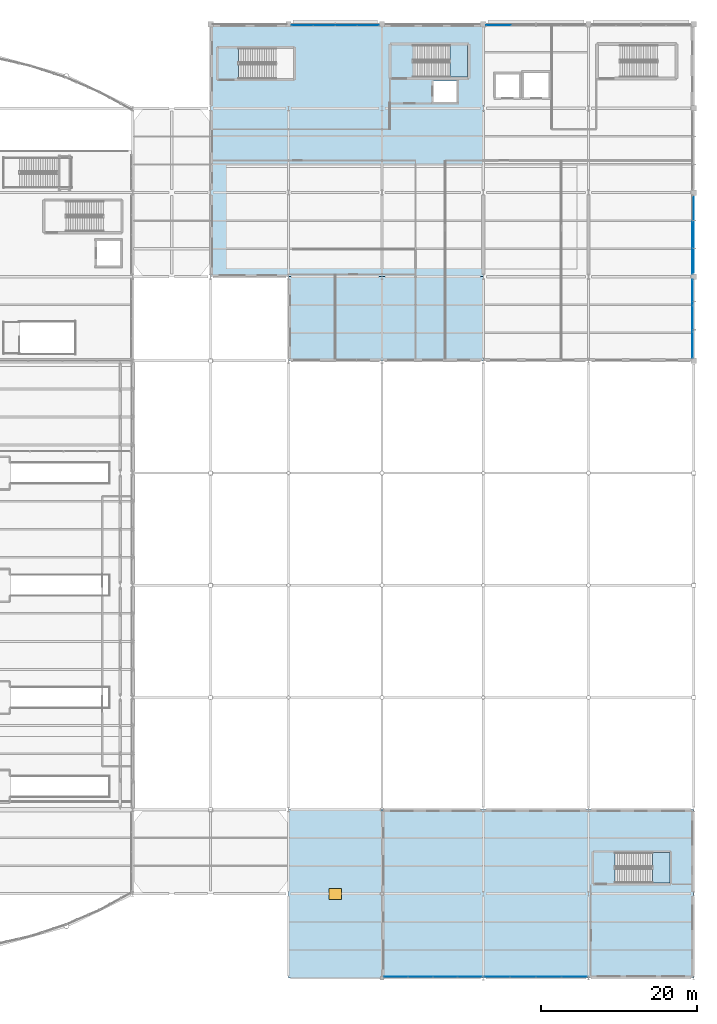
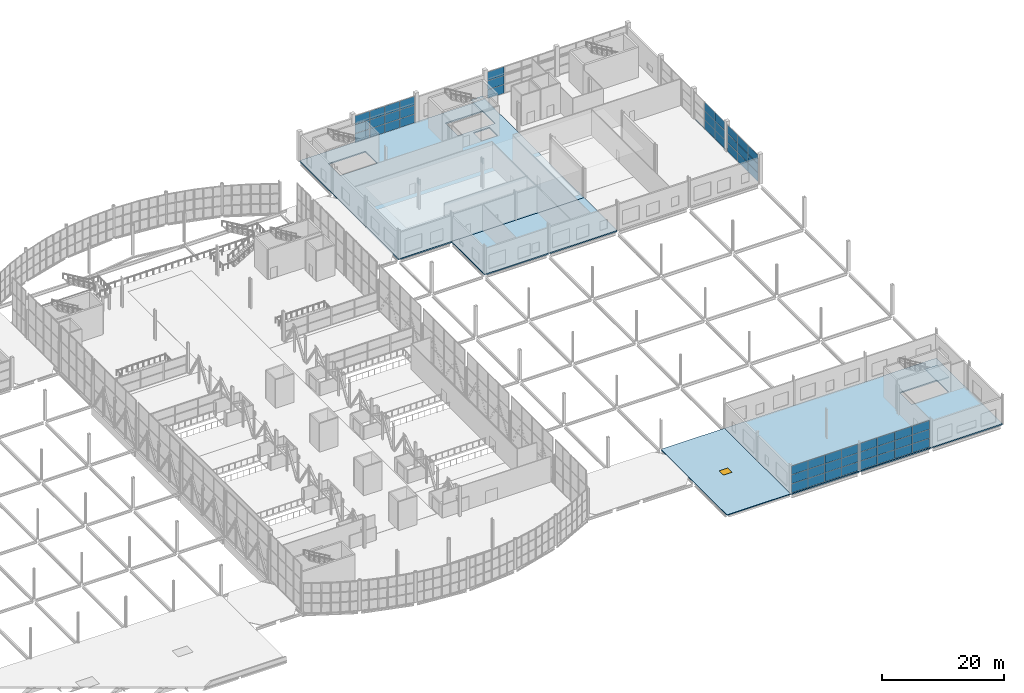
# One storey, part 157 of 191: 55 plates, 6 slabs, 1 window, 1 opening, 8 elements without a shape of their own.
"""IFC4 building model written with IfcOpenShell, lengths in metres."""

from ifc_helpers import new_model, si_unit, direction, frame, origin, origin_2d, place, context, subcontext, project, spatial, polyline, rectangle, outline, extrude, material, layer, layer_set, type_object, element, fill, aggregate, save


model = new_model("IFC4")

# Units and contexts
model_context = context("Model", 3, precision=1e-05, world=origin(), true_north=direction((0.0, 1.0)))
body_context = subcontext(model_context, "Body", "Model", "MODEL_VIEW")
ifc_project = project(units=[si_unit("LENGTHUNIT", "METRE"), si_unit("AREAUNIT", "SQUARE_METRE"), si_unit("VOLUMEUNIT", "CUBIC_METRE"), si_unit("PLANEANGLEUNIT", "RADIAN"), si_unit("MASSUNIT", "GRAM", prefix="KILO")], contexts=[model_context])

# Site, building, storey
site_placement = place(None, origin())
site = spatial("IfcSite", under=ifc_project, at=site_placement, CompositionType="ELEMENT")
building_placement = place(site_placement, origin())
building = spatial("IfcBuilding", under=site, at=building_placement, Name="Tamarisk Ironworks Central Station", CompositionType="ELEMENT")
storey_placement = place(building_placement, frame((0.0, 0.0, 6.60009765625)))
storey = spatial("IfcBuildingStorey", under=building, at=storey_placement, Name="L01", CompositionType="ELEMENT", Elevation=6.60009765625)

# Curtain wall, plates
ifc_material_1 = material(Name="Anodized aluminium alloy 6063-T6", Category="aluminium")
ifc_layer_1 = layer(ifc_material_1, 0.179931640625)
ifc_layer_set_1 = layer_set([ifc_layer_1], Name="Anodized aluminium alloy 6063-T6")
curtain_wall_type = type_object("IfcCurtainWallType", Name="CW-16", PredefinedType="USERDEFINED", material=ifc_layer_set_1)
curtain_wall_1_placement = place(storey_placement, origin())
curtain_wall_1 = element("IfcCurtainWall", 1, at=curtain_wall_1_placement, inside=storey, type_object=curtain_wall_type, Name="Operations L01 north facade curtain wall 128", ObjectType="GLAZED CURTAIN WALL", PredefinedType="USERDEFINED")
ifc_layer_2 = layer(ifc_material_1, 0.02392578125)
ifc_layer_set_2 = layer_set([ifc_layer_2], Name="Anodized aluminium alloy 6063-T6")
plate_type_1 = type_object("IfcPlateType", Name="PL-CWP24", PredefinedType="CURTAIN_PANEL", material=ifc_layer_set_2)
plate_1_placement = place(storey_placement, frame((129.77734375, 122.25, 0.058837890625), z_axis=(0.0, 0.0, 1.0), x_axis=(1.0, 0.0, 0.0)))
plate_1 = element("IfcPlate", 2, at=plate_1_placement, type_object=plate_type_1, Name="CW16 panel 1.1", PredefinedType="CURTAIN_PANEL", context=body_context, shape_type="SweptSolid", body=[
    extrude(rectangle(XDim=2.740478515625, YDim=0.02392578125, at=origin_2d()), origin(), (0.0, 0.0, 1.0), 1.72119140625),
])
plate_2_placement = place(storey_placement, frame((129.77734375, 122.25, 1.8330078125), z_axis=(0.0, 0.0, 1.0), x_axis=(1.0, 0.0, 0.0)))
plate_2 = element("IfcPlate", 3, at=plate_2_placement, type_object=plate_type_1, Name="CW16 panel 1.2", PredefinedType="CURTAIN_PANEL", context=body_context, shape_type="SweptSolid", body=[
    extrude(rectangle(XDim=2.740478515625, YDim=0.02392578125, at=origin_2d()), origin(), (0.0, 0.0, 1.0), 1.753662109375),
])
plate_3_placement = place(storey_placement, frame((129.77734375, 122.25, 3.6396484375), z_axis=(0.0, 0.0, 1.0), x_axis=(1.0, 0.0, 0.0)))
plate_3 = element("IfcPlate", 4, at=plate_3_placement, type_object=plate_type_1, Name="CW16 panel 1.3", PredefinedType="CURTAIN_PANEL", context=body_context, shape_type="SweptSolid", body=[
    extrude(rectangle(XDim=2.740478515625, YDim=0.02392578125, at=origin_2d()), origin(), (0.0, 0.0, 1.0), 1.72119140625),
])
plate_4_placement = place(storey_placement, frame((132.5869140625, 122.25, 0.058837890625), z_axis=(0.0, 0.0, 1.0), x_axis=(1.0, 0.0, 0.0)))
plate_4 = element("IfcPlate", 5, at=plate_4_placement, type_object=plate_type_1, Name="CW16 panel 2.1", PredefinedType="CURTAIN_PANEL", context=body_context, shape_type="SweptSolid", body=[
    extrude(rectangle(XDim=2.77294921875, YDim=0.02392578125, at=origin_2d()), origin(), (0.0, 0.0, 1.0), 1.72119140625),
])
plate_5_placement = place(storey_placement, frame((132.5869140625, 122.25, 1.8330078125), z_axis=(0.0, 0.0, 1.0), x_axis=(1.0, 0.0, 0.0)))
plate_5 = element("IfcPlate", 6, at=plate_5_placement, type_object=plate_type_1, Name="CW16 panel 2.2", PredefinedType="CURTAIN_PANEL", context=body_context, shape_type="SweptSolid", body=[
    extrude(rectangle(XDim=2.77294921875, YDim=0.02392578125, at=origin_2d()), origin(), (0.0, 0.0, 1.0), 1.753662109375),
])
plate_6_placement = place(storey_placement, frame((132.5869140625, 122.25, 3.6396484375), z_axis=(0.0, 0.0, 1.0), x_axis=(1.0, 0.0, 0.0)))
plate_6 = element("IfcPlate", 7, at=plate_6_placement, type_object=plate_type_1, Name="CW16 panel 2.3", PredefinedType="CURTAIN_PANEL", context=body_context, shape_type="SweptSolid", body=[
    extrude(rectangle(XDim=2.77294921875, YDim=0.02392578125, at=origin_2d()), origin(), (0.0, 0.0, 1.0), 1.72119140625),
])
plate_7_placement = place(storey_placement, frame((135.4130859375, 122.25, 0.058837890625), z_axis=(0.0, 0.0, 1.0), x_axis=(1.0, 0.0, 0.0)))
plate_7 = element("IfcPlate", 8, at=plate_7_placement, type_object=plate_type_1, Name="CW16 panel 3.1", PredefinedType="CURTAIN_PANEL", context=body_context, shape_type="SweptSolid", body=[
    extrude(rectangle(XDim=2.77294921875, YDim=0.02392578125, at=origin_2d()), origin(), (0.0, 0.0, 1.0), 1.72119140625),
])
plate_8_placement = place(storey_placement, frame((135.4130859375, 122.25, 1.8330078125), z_axis=(0.0, 0.0, 1.0), x_axis=(1.0, 0.0, 0.0)))
plate_8 = element("IfcPlate", 9, at=plate_8_placement, type_object=plate_type_1, Name="CW16 panel 3.2", PredefinedType="CURTAIN_PANEL", context=body_context, shape_type="SweptSolid", body=[
    extrude(rectangle(XDim=2.77294921875, YDim=0.02392578125, at=origin_2d()), origin(), (0.0, 0.0, 1.0), 1.753662109375),
])
plate_9_placement = place(storey_placement, frame((135.4130859375, 122.25, 3.6396484375), z_axis=(0.0, 0.0, 1.0), x_axis=(1.0, 0.0, 0.0)))
plate_9 = element("IfcPlate", 10, at=plate_9_placement, type_object=plate_type_1, Name="CW16 panel 3.3", PredefinedType="CURTAIN_PANEL", context=body_context, shape_type="SweptSolid", body=[
    extrude(rectangle(XDim=2.77294921875, YDim=0.02392578125, at=origin_2d()), origin(), (0.0, 0.0, 1.0), 1.72119140625),
])
plate_10_placement = place(storey_placement, frame((138.22265625, 122.25, 0.058837890625), z_axis=(0.0, 0.0, 1.0), x_axis=(1.0, 0.0, 0.0)))
plate_10 = element("IfcPlate", 11, at=plate_10_placement, type_object=plate_type_1, Name="CW16 panel 4.1", PredefinedType="CURTAIN_PANEL", context=body_context, shape_type="SweptSolid", body=[
    extrude(rectangle(XDim=2.740478515625, YDim=0.02392578125, at=origin_2d()), origin(), (0.0, 0.0, 1.0), 1.72119140625),
])
plate_11_placement = place(storey_placement, frame((138.22265625, 122.25, 1.8330078125), z_axis=(0.0, 0.0, 1.0), x_axis=(1.0, 0.0, 0.0)))
plate_11 = element("IfcPlate", 12, at=plate_11_placement, type_object=plate_type_1, Name="CW16 panel 4.2", PredefinedType="CURTAIN_PANEL", context=body_context, shape_type="SweptSolid", body=[
    extrude(rectangle(XDim=2.740478515625, YDim=0.02392578125, at=origin_2d()), origin(), (0.0, 0.0, 1.0), 1.753662109375),
])
plate_12_placement = place(storey_placement, frame((138.22265625, 122.25, 3.6396484375), z_axis=(0.0, 0.0, 1.0), x_axis=(1.0, 0.0, 0.0)))
plate_12 = element("IfcPlate", 13, at=plate_12_placement, type_object=plate_type_1, Name="CW16 panel 4.3", PredefinedType="CURTAIN_PANEL", context=body_context, shape_type="SweptSolid", body=[
    extrude(rectangle(XDim=2.740478515625, YDim=0.02392578125, at=origin_2d()), origin(), (0.0, 0.0, 1.0), 1.72119140625),
])
aggregate(curtain_wall_1, [plate_1, plate_2, plate_3, plate_4, plate_5, plate_6, plate_7, plate_8, plate_9, plate_10, plate_11, plate_12])

curtain_wall_2_placement = place(storey_placement, origin())
curtain_wall_2 = element("IfcCurtainWall", 14, at=curtain_wall_2_placement, inside=storey, type_object=curtain_wall_type, Name="Operations L01 north facade curtain wall 153", ObjectType="GLAZED CURTAIN WALL", PredefinedType="USERDEFINED")
plate_13_placement = place(storey_placement, frame((154.96484375, 122.25, 0.058837890625), z_axis=(0.0, 0.0, 1.0), x_axis=(1.0, 0.0, 0.0)))
plate_13 = element("IfcPlate", 15, at=plate_13_placement, type_object=plate_type_1, Name="CW16 panel 1.1", PredefinedType="CURTAIN_PANEL", context=body_context, shape_type="SweptSolid", body=[
    extrude(rectangle(XDim=3.115478515625, YDim=0.02392578125, at=origin_2d()), origin(), (0.0, 0.0, 1.0), 1.72119140625),
])
plate_14_placement = place(storey_placement, frame((154.96484375, 122.25, 1.8330078125), z_axis=(0.0, 0.0, 1.0), x_axis=(1.0, 0.0, 0.0)))
plate_14 = element("IfcPlate", 16, at=plate_14_placement, type_object=plate_type_1, Name="CW16 panel 1.2", PredefinedType="CURTAIN_PANEL", context=body_context, shape_type="SweptSolid", body=[
    extrude(rectangle(XDim=3.115478515625, YDim=0.02392578125, at=origin_2d()), origin(), (0.0, 0.0, 1.0), 1.753662109375),
])
plate_15_placement = place(storey_placement, frame((154.96484375, 122.25, 3.6396484375), z_axis=(0.0, 0.0, 1.0), x_axis=(1.0, 0.0, 0.0)))
plate_15 = element("IfcPlate", 17, at=plate_15_placement, type_object=plate_type_1, Name="CW16 panel 1.3", PredefinedType="CURTAIN_PANEL", context=body_context, shape_type="SweptSolid", body=[
    extrude(rectangle(XDim=3.115478515625, YDim=0.02392578125, at=origin_2d()), origin(), (0.0, 0.0, 1.0), 1.72119140625),
])
aggregate(curtain_wall_2, [plate_13, plate_14, plate_15])

curtain_wall_3_placement = place(storey_placement, origin())
curtain_wall_3 = element("IfcCurtainWall", 18, at=curtain_wall_3_placement, inside=storey, type_object=curtain_wall_type, Name="Operations L01 east facade curtain wall 079", ObjectType="GLAZED CURTAIN WALL", PredefinedType="USERDEFINED")
plate_16_placement = place(storey_placement, frame((179.85009765625, 81.248291015625, 0.058837890625), z_axis=(0.0, 0.0, 1.0), x_axis=(0.0, 1.0, 0.0)))
plate_16 = element("IfcPlate", 19, at=plate_16_placement, type_object=plate_type_1, Name="CW16 panel 1.1", PredefinedType="CURTAIN_PANEL", context=body_context, shape_type="SweptSolid", body=[
    extrude(rectangle(XDim=3.282470703125, YDim=0.02392578125, at=origin_2d()), origin(), (0.0, 0.0, 1.0), 1.72119140625),
])
plate_17_placement = place(storey_placement, frame((179.85009765625, 81.248291015625, 1.8330078125), z_axis=(0.0, 0.0, 1.0), x_axis=(0.0, 1.0, 0.0)))
plate_17 = element("IfcPlate", 20, at=plate_17_placement, type_object=plate_type_1, Name="CW16 panel 1.2", PredefinedType="CURTAIN_PANEL", context=body_context, shape_type="SweptSolid", body=[
    extrude(rectangle(XDim=3.282470703125, YDim=0.02392578125, at=origin_2d()), origin(), (0.0, 0.0, 1.0), 1.753662109375),
])
plate_18_placement = place(storey_placement, frame((179.85009765625, 81.248291015625, 3.6396484375), z_axis=(0.0, 0.0, 1.0), x_axis=(0.0, 1.0, 0.0)))
plate_18 = element("IfcPlate", 21, at=plate_18_placement, type_object=plate_type_1, Name="CW16 panel 1.3", PredefinedType="CURTAIN_PANEL", context=body_context, shape_type="SweptSolid", body=[
    extrude(rectangle(XDim=3.282470703125, YDim=0.02392578125, at=origin_2d()), origin(), (0.0, 0.0, 1.0), 1.72119140625),
])
plate_19_placement = place(storey_placement, frame((179.85009765625, 84.60009765625, 0.058837890625), z_axis=(0.0, 0.0, 1.0), x_axis=(0.0, 1.0, 0.0)))
plate_19 = element("IfcPlate", 22, at=plate_19_placement, type_object=plate_type_1, Name="CW16 panel 2.1", PredefinedType="CURTAIN_PANEL", context=body_context, shape_type="SweptSolid", body=[
    extrude(rectangle(XDim=3.31494140625, YDim=0.02392578125, at=origin_2d()), origin(), (0.0, 0.0, 1.0), 1.72119140625),
])
plate_20_placement = place(storey_placement, frame((179.85009765625, 84.60009765625, 1.8330078125), z_axis=(0.0, 0.0, 1.0), x_axis=(0.0, 1.0, 0.0)))
plate_20 = element("IfcPlate", 23, at=plate_20_placement, type_object=plate_type_1, Name="CW16 panel 2.2", PredefinedType="CURTAIN_PANEL", context=body_context, shape_type="SweptSolid", body=[
    extrude(rectangle(XDim=3.31494140625, YDim=0.02392578125, at=origin_2d()), origin(), (0.0, 0.0, 1.0), 1.753662109375),
])
plate_21_placement = place(storey_placement, frame((179.85009765625, 84.60009765625, 3.6396484375), z_axis=(0.0, 0.0, 1.0), x_axis=(0.0, 1.0, 0.0)))
plate_21 = element("IfcPlate", 24, at=plate_21_placement, type_object=plate_type_1, Name="CW16 panel 2.3", PredefinedType="CURTAIN_PANEL", context=body_context, shape_type="SweptSolid", body=[
    extrude(rectangle(XDim=3.31494140625, YDim=0.02392578125, at=origin_2d()), origin(), (0.0, 0.0, 1.0), 1.72119140625),
])
plate_22_placement = place(storey_placement, frame((179.85009765625, 87.95166015625, 0.058837890625), z_axis=(0.0, 0.0, 1.0), x_axis=(0.0, 1.0, 0.0)))
plate_22 = element("IfcPlate", 25, at=plate_22_placement, type_object=plate_type_1, Name="CW16 panel 3.1", PredefinedType="CURTAIN_PANEL", context=body_context, shape_type="SweptSolid", body=[
    extrude(rectangle(XDim=3.282470703125, YDim=0.02392578125, at=origin_2d()), origin(), (0.0, 0.0, 1.0), 1.72119140625),
])
plate_23_placement = place(storey_placement, frame((179.85009765625, 87.95166015625, 1.8330078125), z_axis=(0.0, 0.0, 1.0), x_axis=(0.0, 1.0, 0.0)))
plate_23 = element("IfcPlate", 26, at=plate_23_placement, type_object=plate_type_1, Name="CW16 panel 3.2", PredefinedType="CURTAIN_PANEL", context=body_context, shape_type="SweptSolid", body=[
    extrude(rectangle(XDim=3.282470703125, YDim=0.02392578125, at=origin_2d()), origin(), (0.0, 0.0, 1.0), 1.753662109375),
])
plate_24_placement = place(storey_placement, frame((179.85009765625, 87.95166015625, 3.6396484375), z_axis=(0.0, 0.0, 1.0), x_axis=(0.0, 1.0, 0.0)))
plate_24 = element("IfcPlate", 27, at=plate_24_placement, type_object=plate_type_1, Name="CW16 panel 3.3", PredefinedType="CURTAIN_PANEL", context=body_context, shape_type="SweptSolid", body=[
    extrude(rectangle(XDim=3.282470703125, YDim=0.02392578125, at=origin_2d()), origin(), (0.0, 0.0, 1.0), 1.72119140625),
])
aggregate(curtain_wall_3, [plate_16, plate_17, plate_18, plate_19, plate_20, plate_21, plate_22, plate_23, plate_24])

curtain_wall_4_placement = place(storey_placement, origin())
curtain_wall_4 = element("IfcCurtainWall", 28, at=curtain_wall_4_placement, inside=storey, type_object=curtain_wall_type, Name="Operations L01 east facade curtain wall 090", ObjectType="GLAZED CURTAIN WALL", PredefinedType="USERDEFINED")
plate_25_placement = place(storey_placement, frame((179.85009765625, 92.04833984375, 0.058837890625), z_axis=(0.0, 0.0, 1.0), x_axis=(0.0, 1.0, 0.0)))
plate_25 = element("IfcPlate", 29, at=plate_25_placement, type_object=plate_type_1, Name="CW16 panel 1.1", PredefinedType="CURTAIN_PANEL", context=body_context, shape_type="SweptSolid", body=[
    extrude(rectangle(XDim=3.282470703125, YDim=0.02392578125, at=origin_2d()), origin(), (0.0, 0.0, 1.0), 1.72119140625),
])
plate_26_placement = place(storey_placement, frame((179.85009765625, 92.04833984375, 1.8330078125), z_axis=(0.0, 0.0, 1.0), x_axis=(0.0, 1.0, 0.0)))
plate_26 = element("IfcPlate", 30, at=plate_26_placement, type_object=plate_type_1, Name="CW16 panel 1.2", PredefinedType="CURTAIN_PANEL", context=body_context, shape_type="SweptSolid", body=[
    extrude(rectangle(XDim=3.282470703125, YDim=0.02392578125, at=origin_2d()), origin(), (0.0, 0.0, 1.0), 1.753662109375),
])
plate_27_placement = place(storey_placement, frame((179.85009765625, 92.04833984375, 3.6396484375), z_axis=(0.0, 0.0, 1.0), x_axis=(0.0, 1.0, 0.0)))
plate_27 = element("IfcPlate", 31, at=plate_27_placement, type_object=plate_type_1, Name="CW16 panel 1.3", PredefinedType="CURTAIN_PANEL", context=body_context, shape_type="SweptSolid", body=[
    extrude(rectangle(XDim=3.282470703125, YDim=0.02392578125, at=origin_2d()), origin(), (0.0, 0.0, 1.0), 1.72119140625),
])
plate_28_placement = place(storey_placement, frame((179.85009765625, 95.39990234375, 0.058837890625), z_axis=(0.0, 0.0, 1.0), x_axis=(0.0, 1.0, 0.0)))
plate_28 = element("IfcPlate", 32, at=plate_28_placement, type_object=plate_type_1, Name="CW16 panel 2.1", PredefinedType="CURTAIN_PANEL", context=body_context, shape_type="SweptSolid", body=[
    extrude(rectangle(XDim=3.31494140625, YDim=0.02392578125, at=origin_2d()), origin(), (0.0, 0.0, 1.0), 1.72119140625),
])
plate_29_placement = place(storey_placement, frame((179.85009765625, 95.39990234375, 1.8330078125), z_axis=(0.0, 0.0, 1.0), x_axis=(0.0, 1.0, 0.0)))
plate_29 = element("IfcPlate", 33, at=plate_29_placement, type_object=plate_type_1, Name="CW16 panel 2.2", PredefinedType="CURTAIN_PANEL", context=body_context, shape_type="SweptSolid", body=[
    extrude(rectangle(XDim=3.31494140625, YDim=0.02392578125, at=origin_2d()), origin(), (0.0, 0.0, 1.0), 1.753662109375),
])
plate_30_placement = place(storey_placement, frame((179.85009765625, 95.39990234375, 3.6396484375), z_axis=(0.0, 0.0, 1.0), x_axis=(0.0, 1.0, 0.0)))
plate_30 = element("IfcPlate", 34, at=plate_30_placement, type_object=plate_type_1, Name="CW16 panel 2.3", PredefinedType="CURTAIN_PANEL", context=body_context, shape_type="SweptSolid", body=[
    extrude(rectangle(XDim=3.31494140625, YDim=0.02392578125, at=origin_2d()), origin(), (0.0, 0.0, 1.0), 1.72119140625),
])
aggregate(curtain_wall_4, [plate_25, plate_26, plate_27, plate_28, plate_29, plate_30])

curtain_wall_5_placement = place(storey_placement, origin())
curtain_wall_5 = element("IfcCurtainWall", 35, at=curtain_wall_5_placement, inside=storey, type_object=curtain_wall_type, Name="South-east annex L01 curtain wall 140", ObjectType="GLAZED CURTAIN WALL", PredefinedType="USERDEFINED")
plate_31_placement = place(storey_placement, frame((141.7958984375, 0.14990234375, 0.058837890625), z_axis=(0.0, 0.0, 1.0), x_axis=(1.0, 0.0, 0.0)))
plate_31 = element("IfcPlate", 36, at=plate_31_placement, type_object=plate_type_1, Name="CW16 panel 1.1", PredefinedType="CURTAIN_PANEL", context=body_context, shape_type="SweptSolid", body=[
    extrude(rectangle(XDim=3.077880859375, YDim=0.02392578125, at=origin_2d()), origin(), (0.0, 0.0, 1.0), 1.72119140625),
])
plate_32_placement = place(storey_placement, frame((141.7958984375, 0.14990234375, 1.8330078125), z_axis=(0.0, 0.0, 1.0), x_axis=(1.0, 0.0, 0.0)))
plate_32 = element("IfcPlate", 37, at=plate_32_placement, type_object=plate_type_1, Name="CW16 panel 1.2", PredefinedType="CURTAIN_PANEL", context=body_context, shape_type="SweptSolid", body=[
    extrude(rectangle(XDim=3.077880859375, YDim=0.02392578125, at=origin_2d()), origin(), (0.0, 0.0, 1.0), 1.753662109375),
])
plate_33_placement = place(storey_placement, frame((141.7958984375, 0.14990234375, 3.6396484375), z_axis=(0.0, 0.0, 1.0), x_axis=(1.0, 0.0, 0.0)))
plate_33 = element("IfcPlate", 38, at=plate_33_placement, type_object=plate_type_1, Name="CW16 panel 1.3", PredefinedType="CURTAIN_PANEL", context=body_context, shape_type="SweptSolid", body=[
    extrude(rectangle(XDim=3.077880859375, YDim=0.02392578125, at=origin_2d()), origin(), (0.0, 0.0, 1.0), 1.72119140625),
])
plate_34_placement = place(storey_placement, frame((144.943359375, 0.14990234375, 0.058837890625), z_axis=(0.0, 0.0, 1.0), x_axis=(1.0, 0.0, 0.0)))
plate_34 = element("IfcPlate", 39, at=plate_34_placement, type_object=plate_type_1, Name="CW16 panel 2.1", PredefinedType="CURTAIN_PANEL", context=body_context, shape_type="SweptSolid", body=[
    extrude(rectangle(XDim=3.110595703125, YDim=0.02392578125, at=origin_2d()), origin(), (0.0, 0.0, 1.0), 1.72119140625),
])
plate_35_placement = place(storey_placement, frame((144.943359375, 0.14990234375, 1.8330078125), z_axis=(0.0, 0.0, 1.0), x_axis=(1.0, 0.0, 0.0)))
plate_35 = element("IfcPlate", 40, at=plate_35_placement, type_object=plate_type_1, Name="CW16 panel 2.2", PredefinedType="CURTAIN_PANEL", context=body_context, shape_type="SweptSolid", body=[
    extrude(rectangle(XDim=3.110595703125, YDim=0.02392578125, at=origin_2d()), origin(), (0.0, 0.0, 1.0), 1.753662109375),
])
plate_36_placement = place(storey_placement, frame((144.943359375, 0.14990234375, 3.6396484375), z_axis=(0.0, 0.0, 1.0), x_axis=(1.0, 0.0, 0.0)))
plate_36 = element("IfcPlate", 41, at=plate_36_placement, type_object=plate_type_1, Name="CW16 panel 2.3", PredefinedType="CURTAIN_PANEL", context=body_context, shape_type="SweptSolid", body=[
    extrude(rectangle(XDim=3.110595703125, YDim=0.02392578125, at=origin_2d()), origin(), (0.0, 0.0, 1.0), 1.72119140625),
])
plate_37_placement = place(storey_placement, frame((148.106689453125, 0.14990234375, 0.058837890625), z_axis=(0.0, 0.0, 1.0), x_axis=(1.0, 0.0, 0.0)))
plate_37 = element("IfcPlate", 42, at=plate_37_placement, type_object=plate_type_1, Name="CW16 panel 3.1", PredefinedType="CURTAIN_PANEL", context=body_context, shape_type="SweptSolid", body=[
    extrude(rectangle(XDim=3.110595703125, YDim=0.02392578125, at=origin_2d()), origin(), (0.0, 0.0, 1.0), 1.72119140625),
])
plate_38_placement = place(storey_placement, frame((148.106689453125, 0.14990234375, 1.8330078125), z_axis=(0.0, 0.0, 1.0), x_axis=(1.0, 0.0, 0.0)))
plate_38 = element("IfcPlate", 43, at=plate_38_placement, type_object=plate_type_1, Name="CW16 panel 3.2", PredefinedType="CURTAIN_PANEL", context=body_context, shape_type="SweptSolid", body=[
    extrude(rectangle(XDim=3.110595703125, YDim=0.02392578125, at=origin_2d()), origin(), (0.0, 0.0, 1.0), 1.753662109375),
])
plate_39_placement = place(storey_placement, frame((148.106689453125, 0.14990234375, 3.6396484375), z_axis=(0.0, 0.0, 1.0), x_axis=(1.0, 0.0, 0.0)))
plate_39 = element("IfcPlate", 44, at=plate_39_placement, type_object=plate_type_1, Name="CW16 panel 3.3", PredefinedType="CURTAIN_PANEL", context=body_context, shape_type="SweptSolid", body=[
    extrude(rectangle(XDim=3.110595703125, YDim=0.02392578125, at=origin_2d()), origin(), (0.0, 0.0, 1.0), 1.72119140625),
])
plate_40_placement = place(storey_placement, frame((151.25390625, 0.14990234375, 0.058837890625), z_axis=(0.0, 0.0, 1.0), x_axis=(1.0, 0.0, 0.0)))
plate_40 = element("IfcPlate", 45, at=plate_40_placement, type_object=plate_type_1, Name="CW16 panel 4.1", PredefinedType="CURTAIN_PANEL", context=body_context, shape_type="SweptSolid", body=[
    extrude(rectangle(XDim=3.077880859375, YDim=0.02392578125, at=origin_2d()), origin(), (0.0, 0.0, 1.0), 1.72119140625),
])
plate_41_placement = place(storey_placement, frame((151.25390625, 0.14990234375, 1.8330078125), z_axis=(0.0, 0.0, 1.0), x_axis=(1.0, 0.0, 0.0)))
plate_41 = element("IfcPlate", 46, at=plate_41_placement, type_object=plate_type_1, Name="CW16 panel 4.2", PredefinedType="CURTAIN_PANEL", context=body_context, shape_type="SweptSolid", body=[
    extrude(rectangle(XDim=3.077880859375, YDim=0.02392578125, at=origin_2d()), origin(), (0.0, 0.0, 1.0), 1.753662109375),
])
plate_42_placement = place(storey_placement, frame((151.25390625, 0.14990234375, 3.6396484375), z_axis=(0.0, 0.0, 1.0), x_axis=(1.0, 0.0, 0.0)))
plate_42 = element("IfcPlate", 47, at=plate_42_placement, type_object=plate_type_1, Name="CW16 panel 4.3", PredefinedType="CURTAIN_PANEL", context=body_context, shape_type="SweptSolid", body=[
    extrude(rectangle(XDim=3.077880859375, YDim=0.02392578125, at=origin_2d()), origin(), (0.0, 0.0, 1.0), 1.72119140625),
])
aggregate(curtain_wall_5, [plate_31, plate_32, plate_33, plate_34, plate_35, plate_36, plate_37, plate_38, plate_39, plate_40, plate_41, plate_42])

curtain_wall_6_placement = place(storey_placement, origin())
curtain_wall_6 = element("IfcCurtainWall", 48, at=curtain_wall_6_placement, inside=storey, type_object=curtain_wall_type, Name="South-east annex L01 curtain wall 153", ObjectType="GLAZED CURTAIN WALL", PredefinedType="USERDEFINED")
plate_43_placement = place(storey_placement, frame((154.814697265625, 0.14990234375, 0.058837890625), z_axis=(0.0, 0.0, 1.0), x_axis=(1.0, 0.0, 0.0)))
plate_43 = element("IfcPlate", 49, at=plate_43_placement, type_object=plate_type_1, Name="CW16 panel 1.1", PredefinedType="CURTAIN_PANEL", context=body_context, shape_type="SweptSolid", body=[
    extrude(rectangle(XDim=3.215576171875, YDim=0.02392578125, at=origin_2d()), origin(), (0.0, 0.0, 1.0), 1.72119140625),
])
plate_44_placement = place(storey_placement, frame((154.814697265625, 0.14990234375, 1.8330078125), z_axis=(0.0, 0.0, 1.0), x_axis=(1.0, 0.0, 0.0)))
plate_44 = element("IfcPlate", 50, at=plate_44_placement, type_object=plate_type_1, Name="CW16 panel 1.2", PredefinedType="CURTAIN_PANEL", context=body_context, shape_type="SweptSolid", body=[
    extrude(rectangle(XDim=3.215576171875, YDim=0.02392578125, at=origin_2d()), origin(), (0.0, 0.0, 1.0), 1.753662109375),
])
plate_45_placement = place(storey_placement, frame((154.814697265625, 0.14990234375, 3.6396484375), z_axis=(0.0, 0.0, 1.0), x_axis=(1.0, 0.0, 0.0)))
plate_45 = element("IfcPlate", 51, at=plate_45_placement, type_object=plate_type_1, Name="CW16 panel 1.3", PredefinedType="CURTAIN_PANEL", context=body_context, shape_type="SweptSolid", body=[
    extrude(rectangle(XDim=3.215576171875, YDim=0.02392578125, at=origin_2d()), origin(), (0.0, 0.0, 1.0), 1.72119140625),
])
plate_46_placement = place(storey_placement, frame((158.099609375, 0.14990234375, 0.058837890625), z_axis=(0.0, 0.0, 1.0), x_axis=(1.0, 0.0, 0.0)))
plate_46 = element("IfcPlate", 52, at=plate_46_placement, type_object=plate_type_1, Name="CW16 panel 2.1", PredefinedType="CURTAIN_PANEL", context=body_context, shape_type="SweptSolid", body=[
    extrude(rectangle(XDim=3.248046875, YDim=0.02392578125, at=origin_2d()), origin(), (0.0, 0.0, 1.0), 1.72119140625),
])
plate_47_placement = place(storey_placement, frame((158.099609375, 0.14990234375, 1.8330078125), z_axis=(0.0, 0.0, 1.0), x_axis=(1.0, 0.0, 0.0)))
plate_47 = element("IfcPlate", 53, at=plate_47_placement, type_object=plate_type_1, Name="CW16 panel 2.2", PredefinedType="CURTAIN_PANEL", context=body_context, shape_type="SweptSolid", body=[
    extrude(rectangle(XDim=3.248046875, YDim=0.02392578125, at=origin_2d()), origin(), (0.0, 0.0, 1.0), 1.753662109375),
])
plate_48_placement = place(storey_placement, frame((158.099609375, 0.14990234375, 3.6396484375), z_axis=(0.0, 0.0, 1.0), x_axis=(1.0, 0.0, 0.0)))
plate_48 = element("IfcPlate", 54, at=plate_48_placement, type_object=plate_type_1, Name="CW16 panel 2.3", PredefinedType="CURTAIN_PANEL", context=body_context, shape_type="SweptSolid", body=[
    extrude(rectangle(XDim=3.248046875, YDim=0.02392578125, at=origin_2d()), origin(), (0.0, 0.0, 1.0), 1.72119140625),
])
plate_49_placement = place(storey_placement, frame((161.400390625, 0.14990234375, 0.058837890625), z_axis=(0.0, 0.0, 1.0), x_axis=(1.0, 0.0, 0.0)))
plate_49 = element("IfcPlate", 55, at=plate_49_placement, type_object=plate_type_1, Name="CW16 panel 3.1", PredefinedType="CURTAIN_PANEL", context=body_context, shape_type="SweptSolid", body=[
    extrude(rectangle(XDim=3.248046875, YDim=0.02392578125, at=origin_2d()), origin(), (0.0, 0.0, 1.0), 1.72119140625),
])
plate_50_placement = place(storey_placement, frame((161.400390625, 0.14990234375, 1.8330078125), z_axis=(0.0, 0.0, 1.0), x_axis=(1.0, 0.0, 0.0)))
plate_50 = element("IfcPlate", 56, at=plate_50_placement, type_object=plate_type_1, Name="CW16 panel 3.2", PredefinedType="CURTAIN_PANEL", context=body_context, shape_type="SweptSolid", body=[
    extrude(rectangle(XDim=3.248046875, YDim=0.02392578125, at=origin_2d()), origin(), (0.0, 0.0, 1.0), 1.753662109375),
])
plate_51_placement = place(storey_placement, frame((161.400390625, 0.14990234375, 3.6396484375), z_axis=(0.0, 0.0, 1.0), x_axis=(1.0, 0.0, 0.0)))
plate_51 = element("IfcPlate", 57, at=plate_51_placement, type_object=plate_type_1, Name="CW16 panel 3.3", PredefinedType="CURTAIN_PANEL", context=body_context, shape_type="SweptSolid", body=[
    extrude(rectangle(XDim=3.248046875, YDim=0.02392578125, at=origin_2d()), origin(), (0.0, 0.0, 1.0), 1.72119140625),
])
plate_52_placement = place(storey_placement, frame((164.685302734375, 0.14990234375, 0.058837890625), z_axis=(0.0, 0.0, 1.0), x_axis=(1.0, 0.0, 0.0)))
plate_52 = element("IfcPlate", 58, at=plate_52_placement, type_object=plate_type_1, Name="CW16 panel 4.1", PredefinedType="CURTAIN_PANEL", context=body_context, shape_type="SweptSolid", body=[
    extrude(rectangle(XDim=3.215576171875, YDim=0.02392578125, at=origin_2d()), origin(), (0.0, 0.0, 1.0), 1.72119140625),
])
plate_53_placement = place(storey_placement, frame((164.685302734375, 0.14990234375, 1.8330078125), z_axis=(0.0, 0.0, 1.0), x_axis=(1.0, 0.0, 0.0)))
plate_53 = element("IfcPlate", 59, at=plate_53_placement, type_object=plate_type_1, Name="CW16 panel 4.2", PredefinedType="CURTAIN_PANEL", context=body_context, shape_type="SweptSolid", body=[
    extrude(rectangle(XDim=3.215576171875, YDim=0.02392578125, at=origin_2d()), origin(), (0.0, 0.0, 1.0), 1.753662109375),
])
plate_54_placement = place(storey_placement, frame((164.685302734375, 0.14990234375, 3.6396484375), z_axis=(0.0, 0.0, 1.0), x_axis=(1.0, 0.0, 0.0)))
plate_54 = element("IfcPlate", 60, at=plate_54_placement, type_object=plate_type_1, Name="CW16 panel 4.3", PredefinedType="CURTAIN_PANEL", context=body_context, shape_type="SweptSolid", body=[
    extrude(rectangle(XDim=3.215576171875, YDim=0.02392578125, at=origin_2d()), origin(), (0.0, 0.0, 1.0), 1.72119140625),
])
aggregate(curtain_wall_6, [plate_43, plate_44, plate_45, plate_46, plate_47, plate_48, plate_49, plate_50, plate_51, plate_52, plate_53, plate_54])

# Plate
ifc_layer_3 = layer(ifc_material_1, 0.008056640625)
ifc_layer_set_3 = layer_set([ifc_layer_3], Name="Anodized aluminium alloy 6063-T6")
plate_type_2 = type_object("IfcPlateType", Name="PL-SP08", PredefinedType="SHEET", material=ifc_layer_set_3)
plate_55_placement = place(storey_placement, frame((179.998046875, 95.39990234375, -0.240234375), z_axis=(0.0, 0.0, 1.0), x_axis=(1.0, 0.0, 0.0)))
element("IfcPlate", 61, at=plate_55_placement, inside=storey, type_object=plate_type_2, Name="L01 east anodised spandrel fascia plate 001", PredefinedType="SHEET", context=body_context, shape_type="SweptSolid", body=[
    extrude(rectangle(XDim=0.008056640625, YDim=9.60009765625, at=origin_2d()), origin(), (0.0, 0.0, 1.0), 0.239990234375),
])

# Slabs
ifc_material_2 = material(Name="Concrete C35/45", Category="concrete")
ifc_layer_4 = layer(ifc_material_2, 0.25)
ifc_layer_set_4 = layer_set([ifc_layer_4], Name="Concrete C35/45")
slab_type_1 = type_object("IfcSlabType", Name="SL-FL250", PredefinedType="FLOOR", material=ifc_layer_set_4)
slab_1_placement = place(storey_placement, frame((0.0, 0.0, -0.25)))
element("IfcSlab", 62, at=slab_1_placement, inside=storey, type_object=slab_type_1, Name="L01 Suspended Floor Slab V5-NW", PredefinedType="FLOOR", context=body_context, shape_type="SweptSolid", body=[
    extrude(outline(polyline([(118.0, 90.0), (153.0, 90.0), (153.0, 122.39990234375), (118.0, 122.39990234375), (118.0, 90.0)]), holes=[polyline([(143.949951171875, 115.60009765625), (151.0, 115.60009765625), (151.0, 119.699951171875), (143.949951171875, 119.699951171875), (143.949951171875, 115.60009765625)]), polyline([(121.60009765625, 115.39990234375), (128.64990234375, 115.39990234375), (128.64990234375, 119.300048828125), (121.60009765625, 119.300048828125), (121.60009765625, 115.39990234375)]), polyline([(146.60009765625, 112.39990234375), (149.60009765625, 112.39990234375), (149.60009765625, 115.10009765625), (146.60009765625, 115.10009765625), (146.60009765625, 112.39990234375)])]), origin(), (0.0, 0.0, 1.0), 0.25),
])
slab_2_placement = place(storey_placement, frame((0.0, 0.0, -0.25)))
element("IfcSlab", 63, at=slab_2_placement, inside=storey, type_object=slab_type_1, Name="L01 Suspended Floor Slab V5-NC", PredefinedType="FLOOR", context=body_context, shape_type="SweptSolid", body=[
    extrude(outline(polyline([(128.0, 79.199951171875), (153.0, 79.199951171875), (153.0, 90.0), (128.0, 90.0), (128.0, 79.199951171875)])), origin(), (0.0, 0.0, 1.0), 0.25),
])
slab_3_placement = place(storey_placement, frame((0.0, 0.0, -0.25)))
element("IfcSlab", 64, at=slab_3_placement, inside=storey, type_object=slab_type_1, Name="L01 Suspended Floor Slab V5-SE", PredefinedType="FLOOR", context=body_context, shape_type="SweptSolid", body=[
    extrude(outline(polyline([(140.0, 0.0), (180.0, 0.0), (180.0, 21.60009765625), (140.0, 21.60009765625), (140.0, 0.0)]), holes=[polyline([(169.89990234375, 12.199951171875), (176.949951171875, 12.199951171875), (176.949951171875, 16.10009765625), (169.89990234375, 16.10009765625), (169.89990234375, 12.199951171875)])]), origin(), (0.0, 0.0, 1.0), 0.25),
])

# Stair, slab
stair_type_1 = type_object("IfcStairType", Name="ST-CORE-A", PredefinedType="HALF_TURN_STAIR", material=ifc_material_2)
stair_1_placement = place(storey_placement, origin())
stair_1 = element("IfcStair", 65, at=stair_1_placement, inside=storey, type_object=stair_type_1, Name="L01 Firefighting Exit Stair Core 1", PredefinedType="HALF_TURN_STAIR")
ifc_layer_5 = layer(ifc_material_2, 0.215087890625)
ifc_layer_set_5 = layer_set([ifc_layer_5], Name="Concrete C35/45")
slab_type_2 = type_object("IfcSlabType", Name="SL-LD220", PredefinedType="LANDING", material=ifc_layer_set_5)
slab_4_placement = place(storey_placement, frame((0.0, 0.0, 2.7998046875)))
slab_4 = element("IfcSlab", 66, at=slab_4_placement, type_object=slab_type_2, Name="ST-C1 landing 1", PredefinedType="LANDING", context=body_context, shape_type="SweptSolid", body=[
    extrude(outline(polyline([(148.75, 115.60009765625), (151.0, 115.60009765625), (151.0, 119.699951171875), (148.75, 119.699951171875), (148.75, 115.60009765625)])), origin(), (0.0, 0.0, 1.0), 0.2001953125),
])
aggregate(stair_1, [slab_4])

stair_type_2 = type_object("IfcStairType", Name="ST-CORE-D", PredefinedType="HALF_TURN_STAIR", material=ifc_material_2)
stair_2_placement = place(storey_placement, origin())
stair_2 = element("IfcStair", 67, at=stair_2_placement, inside=storey, type_object=stair_type_2, Name="L01 South-East Operations Annex Exit Stair Core 7", PredefinedType="HALF_TURN_STAIR")
slab_5_placement = place(storey_placement, frame((0.0, 0.0, 2.7998046875)))
slab_5 = element("IfcSlab", 68, at=slab_5_placement, type_object=slab_type_2, Name="ST-C7 landing 1", PredefinedType="LANDING", context=body_context, shape_type="SweptSolid", body=[
    extrude(outline(polyline([(174.699951171875, 12.199951171875), (176.949951171875, 12.199951171875), (176.949951171875, 16.10009765625), (174.699951171875, 16.10009765625), (174.699951171875, 12.199951171875)])), origin(), (0.0, 0.0, 1.0), 0.2001953125),
])
aggregate(stair_2, [slab_5])

# Slab, opening, window
ifc_layer_6 = layer(ifc_material_2, 0.159912109375)
ifc_layer_set_6 = layer_set([ifc_layer_6], Name="Concrete C35/45")
slab_type_3 = type_object("IfcSlabType", Name="SL-RF160", PredefinedType="ROOF", material=ifc_layer_set_6)
slab_6_placement = place(storey_placement, frame((0.0, 0.0, -0.16015625)))
slab_6 = element("IfcSlab", 69, at=slab_6_placement, inside=storey, type_object=slab_type_3, Name="L01 Low Wing Roof Slab V5S-RF1", PredefinedType="ROOF", context=body_context, shape_type="SweptSolid", body=[
    extrude(outline(polyline([(128.0, 0.0), (140.0, 0.0), (140.0, 21.60009765625), (128.0, 21.60009765625), (128.0, 0.0)])), origin(), (0.0, 0.0, 1.0), 0.16015625),
])
opening_placement = place(slab_6_placement, frame((134.0, 10.800048828125, 0.0)))
opening = element("IfcOpeningElement", 70, at=opening_placement, cuts=slab_6, Name="Opening RH01", PredefinedType="OPENING", context=body_context, shape_type="SweptSolid", body=[
    extrude(rectangle(XDim=1.60009765625, YDim=1.39990234375, at=origin_2d()), frame((0.0, 0.0, -0.011962890625)), (0.0, 0.0, 1.0), 0.18408203125),
])
ifc_material_3 = material(Name="Laminated solar-control low-E glass", Category="glass")
window_type = type_object("IfcWindowType", Name="SK-05", PartitioningType="SINGLE_PANEL", PredefinedType="USERDEFINED", material=ifc_material_3)
window_placement = place(opening_placement, frame((0.0, 0.0, 0.105224609375)))
window = element("IfcWindow", 71, at=window_placement, inside=storey, type_object=window_type, Name="L01 roof access hatch 004", ObjectType="ROOF HATCH", OverallHeight=1.39990234375, OverallWidth=1.60009765625, PartitioningType="SINGLE_PANEL", PredefinedType="USERDEFINED", context=body_context, shape_type="SweptSolid", body=[
    extrude(rectangle(XDim=1.60009765625, YDim=1.39990234375, at=origin_2d()), origin(), (0.0, 0.0, 1.0), 0.050048828125),
])
fill(opening, window)

save(model, "model.ifc")
